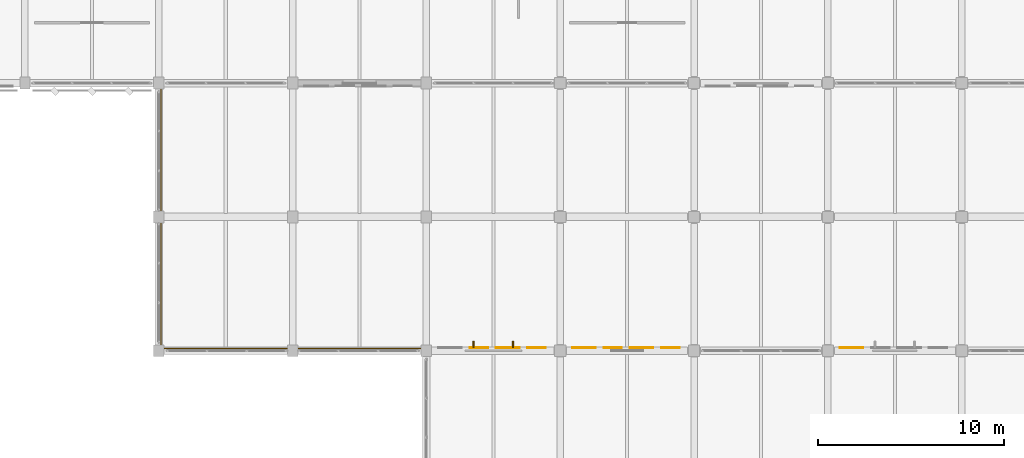
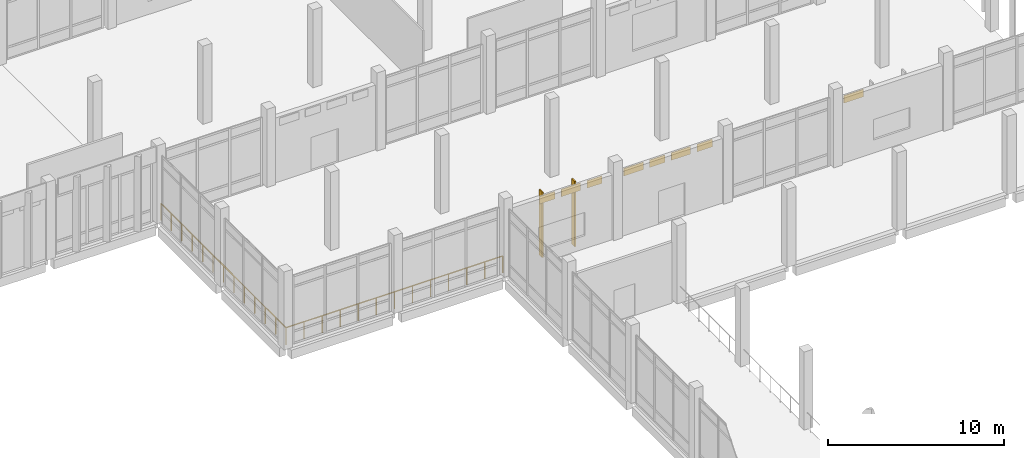
# One storey, part 178 of 180: 10 coverings, 1 railing.
"""IFC4 building model written with IfcOpenShell, lengths in metres."""

from ifc_helpers import new_model, si_unit, direction, frame, origin, origin_2d, place, context, subcontext, project, spatial, rectangle, circle, extrude, material, layer, layer_set, type_object, element, save


model = new_model("IFC4")

# Units and contexts
model_context = context("Model", 3, precision=1e-05, world=origin(), true_north=direction((0.0, 1.0)))
body_context = subcontext(model_context, "Body", "Model", "MODEL_VIEW")
ifc_project = project(units=[si_unit("LENGTHUNIT", "METRE"), si_unit("AREAUNIT", "SQUARE_METRE"), si_unit("VOLUMEUNIT", "CUBIC_METRE"), si_unit("PLANEANGLEUNIT", "RADIAN"), si_unit("MASSUNIT", "GRAM", prefix="KILO")], contexts=[model_context])

# Site, building, storey
site_placement = place(None, origin())
site = spatial("IfcSite", under=ifc_project, at=site_placement, CompositionType="ELEMENT")
building_placement = place(site_placement, origin())
building = spatial("IfcBuilding", under=site, at=building_placement, Name="Lusvemor Sports Hall", CompositionType="ELEMENT")
storey_placement = place(building_placement, frame((0.0, 0.0, 5.39990234375)))
storey = spatial("IfcBuildingStorey", under=building, at=storey_placement, Name="L01", CompositionType="ELEMENT", Elevation=5.39990234375)

# Coverings
ifc_material_1 = material(Name="Emerald polychrome glazed ceramic cladding on Concrete C40/50 backing", Category="concrete")
ifc_layer_1 = layer(ifc_material_1, 0.0458984375)
ifc_layer_set_1 = layer_set([ifc_layer_1], Name="Emerald polychrome glazed ceramic cladding on Concrete C40/50 backing")
covering_type_1 = type_object("IfcCoveringType", Name="CLAD_WAVE_EMERALD", PredefinedType="CLADDING", material=ifc_layer_set_1)
for number, where, z_axis, x_axis, name in (
    (1, (137.574951171875, 82.965576171875, 3.88525390625), (0.0, 0.0, 1.0), (1.0, 0.0, 0.0), "Art Nouveau Patterned Cladding PS-EW-L01-N-5-0-3"),
    (2, (141.675048828125, 82.965576171875, 3.88525390625), (0.0, 0.0, 1.0), (1.0, 0.0, 0.0), "Art Nouveau Patterned Cladding PS-EW-L01-N-5-1-1"),
    (3, (144.77490234375, 82.965576171875, 3.88525390625), (0.0, 0.0, 1.0), (1.0, 0.0, 0.0), "Art Nouveau Patterned Cladding PS-EW-L01-N-5-1-3"),
    (4, (156.074951171875, 82.965576171875, 3.88525390625), (0.0, 0.0, 1.0), (1.0, 0.0, 0.0), "Art Nouveau Patterned Cladding PS-EW-L01-N-5-3-1"),
):
    element("IfcCovering", number, at=place(storey_placement, frame(where, z_axis=z_axis, x_axis=x_axis)), inside=storey, type_object=covering_type_1, Name=name, PredefinedType="CLADDING", context=body_context, shape_type="SweptSolid", body=[
        extrude(rectangle(XDim=1.27099609375, YDim=0.0458984375, at=origin_2d()), origin(), (0.0, 0.0, 1.0), 0.510009765625),
    ])
ifc_material_2 = material(Name="Warm terracotta Art Nouveau ceramic cladding on Concrete C40/50 backing", Category="masonry")
ifc_layer_2 = layer(ifc_material_2, 0.0380859375)
ifc_layer_set_2 = layer_set([ifc_layer_2], Name="Warm terracotta Art Nouveau ceramic cladding on Concrete C40/50 backing")
covering_type_2 = type_object("IfcCoveringType", Name="CLAD_WAVE_OCHRE", PredefinedType="CLADDING", material=ifc_layer_set_2)
for number, where, z_axis, x_axis, name in (
    (5, (136.02490234375, 82.96142578125, 3.88525390625), (0.0, 0.0, 1.0), (1.0, 0.0, 0.0), "Art Nouveau Patterned Cladding PS-EW-L01-N-5-0-2"),
    (6, (139.125, 82.96142578125, 3.88525390625), (0.0, 0.0, 1.0), (1.0, 0.0, 0.0), "Art Nouveau Patterned Cladding PS-EW-L01-N-5-0-4"),
    (7, (143.22509765625, 82.96142578125, 3.88525390625), (0.0, 0.0, 1.0), (1.0, 0.0, 0.0), "Art Nouveau Patterned Cladding PS-EW-L01-N-5-1-2"),
    (8, (146.324951171875, 82.96142578125, 3.88525390625), (0.0, 0.0, 1.0), (1.0, 0.0, 0.0), "Art Nouveau Patterned Cladding PS-EW-L01-N-5-1-4"),
):
    element("IfcCovering", number, at=place(storey_placement, frame(where, z_axis=z_axis, x_axis=x_axis)), inside=storey, type_object=covering_type_2, Name=name, PredefinedType="CLADDING", context=body_context, shape_type="SweptSolid", body=[
        extrude(rectangle(XDim=0.991943359375, YDim=0.0380859375, at=origin_2d()), origin(), (0.0, 0.0, 1.0), 0.510009765625),
    ])
ifc_material_3 = material(Name="Emerald polychrome glazed ceramic cladding on Concrete C40/50 backing", Category="concrete")
ifc_layer_3 = layer(ifc_material_3, 0.35009765625)
ifc_layer_set_3 = layer_set([ifc_layer_3], Name="Emerald polychrome glazed ceramic cladding on Concrete C40/50 backing")
covering_type_3 = type_object("IfcCoveringType", Name="FIN_BRISE_CER_350", PredefinedType="MOLDING", material=ifc_layer_set_3)
for number, where, z_axis, x_axis, name in (
    (9, (135.739990234375, 83.12744140625, 0.10009765625), (0.0, 0.0, 1.0), (1.0, 0.0, 0.0), "Wing Brise-Soleil Fin L01-N-5-0-1"),
    (10, (137.860107421875, 83.12744140625, 0.10009765625), (0.0, 0.0, 1.0), (1.0, 0.0, 0.0), "Wing Brise-Soleil Fin L01-N-5-0-2"),
):
    element("IfcCovering", number, at=place(storey_placement, frame(where, z_axis=z_axis, x_axis=x_axis)), inside=storey, type_object=covering_type_3, Name=name, PredefinedType="MOLDING", context=body_context, shape_type="SweptSolid", body=[
        extrude(rectangle(XDim=0.080078125, YDim=0.35009765625, at=origin_2d()), origin(), (0.0, 0.0, 1.0), 4.52001953125),
    ])

# Railing
ifc_material_4 = material(Name="Bronze-finished wrought-steel Art Nouveau balustrade", Category="steel")
railing_type = type_object("IfcRailingType", Name="RAIL_TERR_GUARD_118", PredefinedType="GUARDRAIL", material=ifc_material_4)
railing_placement = place(storey_placement, frame((118.919921875, 97.10009765625, 0.0)))
element("IfcRailing", 11, at=railing_placement, inside=storey, type_object=railing_type, Name="L01 East Garden Overlook Terrace Guard", PredefinedType="GUARDRAIL", context=body_context, shape_type="SweptSolid", body=[
    extrude(circle(Radius=0.02392578125, at=origin_2d()), frame((0.0, 0.0, 1.15576171875), z_axis=(0.0, -1.0, 0.0), x_axis=(1.0, 0.0, 0.0)), (0.0, 0.0, 1.0), 14.18017578125),
    extrude(circle(Radius=0.02392578125, at=origin_2d()), frame((0.0, -14.18017578125, 1.15576171875), z_axis=(1.0, 0.0, 0.0), x_axis=(0.0, 1.0, 0.0)), (0.0, 0.0, 1.0), 14.18017578125),
    extrude(circle(Radius=0.02099609375, at=origin_2d()), origin(), (0.0, 0.0, 1.0), 1.1318359375),
    extrude(circle(Radius=0.02099609375, at=origin_2d()), frame((0.0, -1.181640625, 0.0)), (0.0, 0.0, 1.0), 1.1318359375),
    extrude(circle(Radius=0.02099609375, at=origin_2d()), frame((0.0, -2.36328125, 0.0)), (0.0, 0.0, 1.0), 1.1318359375),
    extrude(circle(Radius=0.02099609375, at=origin_2d()), frame((0.0, -3.544921875, 0.0)), (0.0, 0.0, 1.0), 1.1318359375),
    extrude(circle(Radius=0.02099609375, at=origin_2d()), frame((0.0, -4.726806640625, 0.0)), (0.0, 0.0, 1.0), 1.1318359375),
    extrude(circle(Radius=0.02099609375, at=origin_2d()), frame((0.0, -5.908447265625, 0.0)), (0.0, 0.0, 1.0), 1.1318359375),
    extrude(circle(Radius=0.02099609375, at=origin_2d()), frame((0.0, -7.090087890625, 0.0)), (0.0, 0.0, 1.0), 1.1318359375),
    extrude(circle(Radius=0.02099609375, at=origin_2d()), frame((0.0, -8.271728515625, 0.0)), (0.0, 0.0, 1.0), 1.1318359375),
    extrude(circle(Radius=0.02099609375, at=origin_2d()), frame((0.0, -9.453369140625, 0.0)), (0.0, 0.0, 1.0), 1.1318359375),
    extrude(circle(Radius=0.02099609375, at=origin_2d()), frame((0.0, -10.63525390625, 0.0)), (0.0, 0.0, 1.0), 1.1318359375),
    extrude(circle(Radius=0.02099609375, at=origin_2d()), frame((0.0, -11.81689453125, 0.0)), (0.0, 0.0, 1.0), 1.1318359375),
    extrude(circle(Radius=0.02099609375, at=origin_2d()), frame((0.0, -12.99853515625, 0.0)), (0.0, 0.0, 1.0), 1.1318359375),
    extrude(circle(Radius=0.02099609375, at=origin_2d()), frame((0.0, -14.18017578125, 0.0)), (0.0, 0.0, 1.0), 1.1318359375),
    extrude(circle(Radius=0.02099609375, at=origin_2d()), frame((1.181640625, -14.18017578125, 0.0)), (0.0, 0.0, 1.0), 1.1318359375),
    extrude(circle(Radius=0.02099609375, at=origin_2d()), frame((2.36328125, -14.18017578125, 0.0)), (0.0, 0.0, 1.0), 1.1318359375),
    extrude(circle(Radius=0.02099609375, at=origin_2d()), frame((3.544921875, -14.18017578125, 0.0)), (0.0, 0.0, 1.0), 1.1318359375),
    extrude(circle(Radius=0.02099609375, at=origin_2d()), frame((4.726806640625, -14.18017578125, 0.0)), (0.0, 0.0, 1.0), 1.1318359375),
    extrude(circle(Radius=0.02099609375, at=origin_2d()), frame((5.908447265625, -14.18017578125, 0.0)), (0.0, 0.0, 1.0), 1.1318359375),
    extrude(circle(Radius=0.02099609375, at=origin_2d()), frame((7.090087890625, -14.18017578125, 0.0)), (0.0, 0.0, 1.0), 1.1318359375),
    extrude(circle(Radius=0.02099609375, at=origin_2d()), frame((8.271728515625, -14.18017578125, 0.0)), (0.0, 0.0, 1.0), 1.1318359375),
    extrude(circle(Radius=0.02099609375, at=origin_2d()), frame((9.453369140625, -14.18017578125, 0.0)), (0.0, 0.0, 1.0), 1.1318359375),
    extrude(circle(Radius=0.02099609375, at=origin_2d()), frame((10.63525390625, -14.18017578125, 0.0)), (0.0, 0.0, 1.0), 1.1318359375),
    extrude(circle(Radius=0.02099609375, at=origin_2d()), frame((11.81689453125, -14.18017578125, 0.0)), (0.0, 0.0, 1.0), 1.1318359375),
    extrude(circle(Radius=0.02099609375, at=origin_2d()), frame((12.99853515625, -14.18017578125, 0.0)), (0.0, 0.0, 1.0), 1.1318359375),
    extrude(circle(Radius=0.02099609375, at=origin_2d()), frame((14.18017578125, -14.18017578125, 0.0)), (0.0, 0.0, 1.0), 1.1318359375),
])

save(model, "model.ifc")
